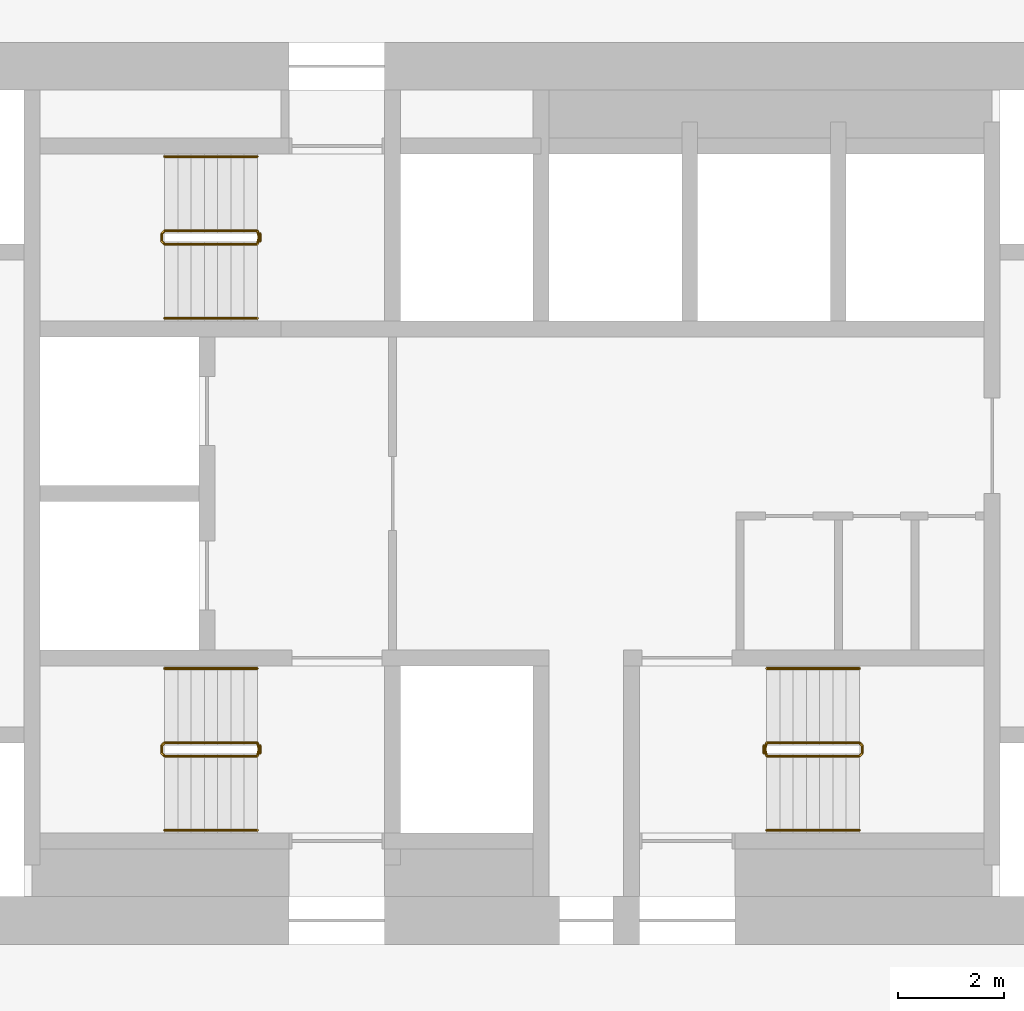
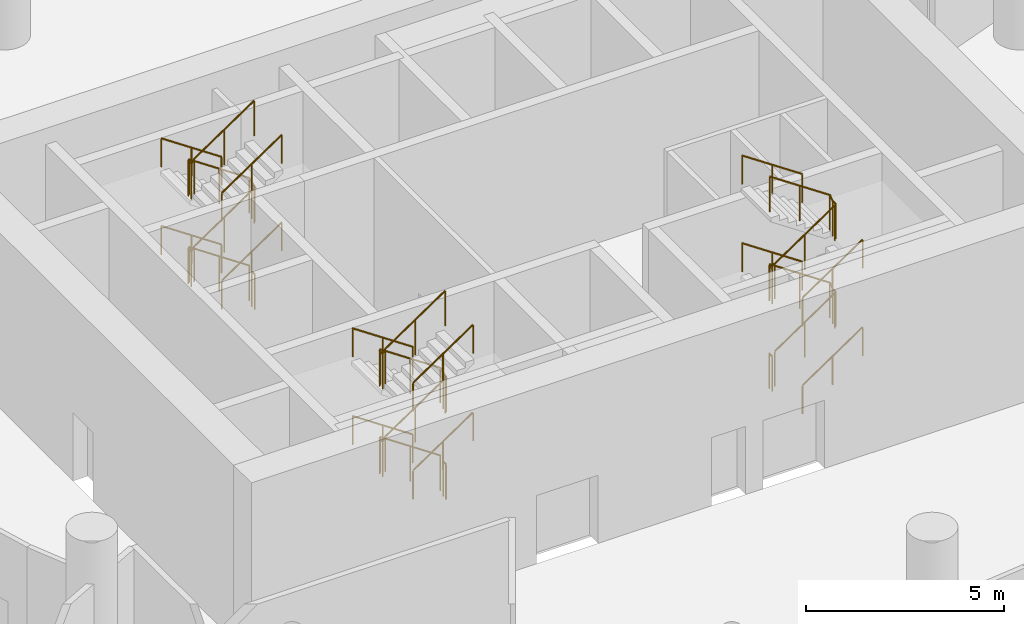
# One storey, part 21 of 21: 18 railings.
"""IFC4 building model written with IfcOpenShell, lengths in metres."""

from ifc_helpers import new_model, si_unit, direction, frame, origin, origin_2d, place, context, subcontext, project, spatial, circle, extrude, material, type_object, element, save


model = new_model("IFC4")

# Units and contexts
model_context = context("Model", 3, precision=1e-05, world=origin(), true_north=direction((0.0, 1.0)))
body_context = subcontext(model_context, "Body", "Model", "MODEL_VIEW")
ifc_project = project(units=[si_unit("LENGTHUNIT", "METRE"), si_unit("AREAUNIT", "SQUARE_METRE"), si_unit("VOLUMEUNIT", "CUBIC_METRE"), si_unit("PLANEANGLEUNIT", "RADIAN"), si_unit("MASSUNIT", "GRAM", prefix="KILO")], contexts=[model_context])

# Site, building, storey
site_placement = place(None, origin())
site = spatial("IfcSite", under=ifc_project, at=site_placement, CompositionType="ELEMENT")
building_placement = place(site_placement, origin())
building = spatial("IfcBuilding", under=site, at=building_placement, Name="Tracery Tower", CompositionType="ELEMENT")
storey_placement = place(building_placement, frame((0.0, 0.0, 219.60009765625)))
storey = spatial("IfcBuildingStorey", under=building, at=storey_placement, Name="L57", CompositionType="ELEMENT", Elevation=219.60009765625)

# Railings
ifc_material_1 = material(Name="Stainless steel and laminated glass", Category="steel")
railing_type_1 = type_object("IfcRailingType", Name="Stair guard 1100", PredefinedType="GUARDRAIL", material=ifc_material_1)
railing_1_placement = place(storey_placement, frame((-4.800048828125, -4.699951171875, 0.168701171875)))
element("IfcRailing", 1, at=railing_1_placement, inside=storey, type_object=railing_type_1, Name="L57 stair ST1 guard 1", PredefinedType="GUARDRAIL", context=body_context, shape_type="SweptSolid", body=[
    extrude(circle(Radius=0.02392578125, at=origin_2d()), frame((0.0, 0.0, 1.076171875), z_axis=(-0.828870122254, 0.0, 0.559441078608), x_axis=(0.0, -1.0, 0.0)), (0.0, 0.0, 1.0), 2.111328125),
    extrude(circle(Radius=0.02392578125, at=origin_2d()), frame((-1.75, 0.0, 2.25732421875), z_axis=(-0.707106781187, -0.707106781187, 0.0), x_axis=(0.707106781187, -0.707106781187, 0.0)), (0.0, 0.0, 1.0), 0.07080078125),
    extrude(circle(Radius=0.02392578125, at=origin_2d()), frame((-1.800048828125, -0.050048828125, 2.25732421875), z_axis=(0.0, -1.0, 0.0), x_axis=(1.0, 0.0, 0.0)), (0.0, 0.0, 1.0), 0.14990234375),
    extrude(circle(Radius=0.02392578125, at=origin_2d()), frame((-1.800048828125, -0.199951171875, 2.25732421875), z_axis=(0.273569069059, -0.273569069059, 0.922127935218), x_axis=(0.707106781187, 0.707106781187, 0.0)), (0.0, 0.0, 1.0), 0.182861328125),
    extrude(circle(Radius=0.02392578125, at=origin_2d()), frame((-1.75, -0.25, 2.42578125), z_axis=(0.828816501605, 0.0, 0.559520514965), x_axis=(0.0, 1.0, 0.0)), (0.0, 0.0, 1.0), 2.111328125),
    extrude(circle(Radius=0.02392578125, at=origin_2d()), frame((0.0, -0.25, 3.607421875), z_axis=(0.242814311512, 0.970072785993, 0.0), x_axis=(-0.970072785993, 0.242814311512, 0.0)), (0.0, 0.0, 1.0), 0.2060546875),
    extrude(circle(Radius=0.02392578125, at=origin_2d()), frame((0.050048828125, -0.050048828125, 3.607421875), z_axis=(0.0, -1.0, 0.0), x_axis=(1.0, 0.0, 0.0)), (0.0, 0.0, 1.0), 0.14990234375),
    extrude(circle(Radius=0.02392578125, at=origin_2d()), frame((0.050048828125, -0.199951171875, 3.607421875), z_axis=(-0.187902113298, 0.750691857518, 0.633367611166), x_axis=(-0.970072785993, -0.242814311512, 0.0)), (0.0, 0.0, 1.0), 0.266357421875),
    extrude(circle(Radius=0.02392578125, at=origin_2d()), frame((0.0, 0.0, 3.77587890625), z_axis=(-0.828870122254, 0.0, 0.559441078608), x_axis=(0.0, -1.0, 0.0)), (0.0, 0.0, 1.0), 2.111328125),
    extrude(circle(Radius=0.02392578125, at=origin_2d()), frame((-1.75, 0.0, 4.95703125), z_axis=(-0.707106781187, -0.707106781187, 0.0), x_axis=(0.707106781187, -0.707106781187, 0.0)), (0.0, 0.0, 1.0), 0.07080078125),
    extrude(circle(Radius=0.02392578125, at=origin_2d()), frame((-1.800048828125, -0.050048828125, 4.95703125), z_axis=(0.0, -1.0, 0.0), x_axis=(1.0, 0.0, 0.0)), (0.0, 0.0, 1.0), 0.14990234375),
    extrude(circle(Radius=0.02392578125, at=origin_2d()), frame((-1.800048828125, -0.199951171875, 4.95703125), z_axis=(0.273232802156, -0.273232802156, 0.922327312645), x_axis=(0.707106781187, 0.707106781187, 0.0)), (0.0, 0.0, 1.0), 0.18310546875),
    extrude(circle(Radius=0.02392578125, at=origin_2d()), frame((-1.75, -0.25, 5.1259765625), z_axis=(0.828870122254, 0.0, 0.559441078608), x_axis=(0.0, 1.0, 0.0)), (0.0, 0.0, 1.0), 2.111328125),
    extrude(circle(Radius=0.02099609375, at=origin_2d()), origin(), (0.0, 0.0, 1.0), 1.052001953125),
    extrude(circle(Radius=0.02099609375, at=origin_2d()), frame((-0.875, 0.0, 0.590576171875)), (0.0, 0.0, 1.0), 1.052001953125),
    extrude(circle(Radius=0.02099609375, at=origin_2d()), frame((-1.75, 0.0, 1.18115234375)), (0.0, 0.0, 1.0), 1.052001953125),
    extrude(circle(Radius=0.02099609375, at=origin_2d()), frame((-1.800048828125, -0.050048828125, 1.18115234375)), (0.0, 0.0, 1.0), 1.052001953125),
    extrude(circle(Radius=0.02099609375, at=origin_2d()), frame((-1.800048828125, -0.199951171875, 1.18115234375)), (0.0, 0.0, 1.0), 1.052001953125),
    extrude(circle(Radius=0.02099609375, at=origin_2d()), frame((-1.75, -0.25, 1.349853515625)), (0.0, 0.0, 1.0), 1.052001953125),
    extrude(circle(Radius=0.02099609375, at=origin_2d()), frame((-0.875, -0.25, 1.9404296875)), (0.0, 0.0, 1.0), 1.052001953125),
    extrude(circle(Radius=0.02099609375, at=origin_2d()), frame((0.0, -0.25, 2.53125)), (0.0, 0.0, 1.0), 1.052001953125),
    extrude(circle(Radius=0.02099609375, at=origin_2d()), frame((0.050048828125, -0.050048828125, 2.53125)), (0.0, 0.0, 1.0), 1.052001953125),
    extrude(circle(Radius=0.02099609375, at=origin_2d()), frame((0.050048828125, -0.199951171875, 2.53125)), (0.0, 0.0, 1.0), 1.052001953125),
    extrude(circle(Radius=0.02099609375, at=origin_2d()), frame((0.0, 0.0, 2.699951171875)), (0.0, 0.0, 1.0), 1.052001953125),
    extrude(circle(Radius=0.02099609375, at=origin_2d()), frame((-0.875, 0.0, 3.29052734375)), (0.0, 0.0, 1.0), 1.052001953125),
    extrude(circle(Radius=0.02099609375, at=origin_2d()), frame((-1.75, 0.0, 3.881103515625)), (0.0, 0.0, 1.0), 1.052001953125),
    extrude(circle(Radius=0.02099609375, at=origin_2d()), frame((-1.800048828125, -0.050048828125, 3.881103515625)), (0.0, 0.0, 1.0), 1.052001953125),
    extrude(circle(Radius=0.02099609375, at=origin_2d()), frame((-1.800048828125, -0.199951171875, 3.881103515625)), (0.0, 0.0, 1.0), 1.052001953125),
    extrude(circle(Radius=0.02099609375, at=origin_2d()), frame((-1.75, -0.25, 4.050048828125)), (0.0, 0.0, 1.0), 1.052001953125),
    extrude(circle(Radius=0.02099609375, at=origin_2d()), frame((-0.875, -0.25, 4.640625)), (0.0, 0.0, 1.0), 1.052001953125),
    extrude(circle(Radius=0.02099609375, at=origin_2d()), frame((0.0, -0.25, 5.231201171875)), (0.0, 0.0, 1.0), 1.052001953125),
])
railing_2_placement = place(storey_placement, frame((-4.75, -4.75, 0.0)))
element("IfcRailing", 2, at=railing_2_placement, inside=storey, type_object=railing_type_1, Name="L57 stair ST1 guard 2", PredefinedType="GUARDRAIL", context=body_context, shape_type="SweptSolid", body=[
    extrude(circle(Radius=0.02392578125, at=origin_2d()), frame((0.0, 0.0, 1.076171875), z_axis=(0.0, -1.0, 0.0), x_axis=(1.0, 0.0, 0.0)), (0.0, 0.0, 1.0), 0.14990234375),
    extrude(circle(Radius=0.02099609375, at=origin_2d()), origin(), (0.0, 0.0, 1.0), 1.052001953125),
    extrude(circle(Radius=0.02099609375, at=origin_2d()), frame((0.0, -0.14990234375, 0.0)), (0.0, 0.0, 1.0), 1.052001953125),
])
railing_3_placement = place(storey_placement, frame((-4.800048828125, 4.949951171875, 0.168701171875)))
element("IfcRailing", 3, at=railing_3_placement, inside=storey, type_object=railing_type_1, Name="L57 stair ST3 guard 1", PredefinedType="GUARDRAIL", context=body_context, shape_type="SweptSolid", body=[
    extrude(circle(Radius=0.02392578125, at=origin_2d()), frame((0.0, 0.0, 1.076171875), z_axis=(-0.828870122254, 0.0, 0.559441078608), x_axis=(0.0, -1.0, 0.0)), (0.0, 0.0, 1.0), 2.111328125),
    extrude(circle(Radius=0.02392578125, at=origin_2d()), frame((-1.75, 0.0, 2.25732421875), z_axis=(-0.707106781187, -0.707106781187, 0.0), x_axis=(0.707106781187, -0.707106781187, 0.0)), (0.0, 0.0, 1.0), 0.07080078125),
    extrude(circle(Radius=0.02392578125, at=origin_2d()), frame((-1.800048828125, -0.050048828125, 2.25732421875), z_axis=(0.0, -1.0, 0.0), x_axis=(1.0, 0.0, 0.0)), (0.0, 0.0, 1.0), 0.14990234375),
    extrude(circle(Radius=0.02392578125, at=origin_2d()), frame((-1.800048828125, -0.199951171875, 2.25732421875), z_axis=(0.273569069059, -0.273569069059, 0.922127935218), x_axis=(0.707106781187, 0.707106781187, 0.0)), (0.0, 0.0, 1.0), 0.182861328125),
    extrude(circle(Radius=0.02392578125, at=origin_2d()), frame((-1.75, -0.25, 2.42578125), z_axis=(0.828816501605, 0.0, 0.559520514965), x_axis=(0.0, 1.0, 0.0)), (0.0, 0.0, 1.0), 2.111328125),
    extrude(circle(Radius=0.02392578125, at=origin_2d()), frame((0.0, -0.25, 3.607421875), z_axis=(0.242814311512, 0.970072785993, 0.0), x_axis=(-0.970072785993, 0.242814311512, 0.0)), (0.0, 0.0, 1.0), 0.2060546875),
    extrude(circle(Radius=0.02392578125, at=origin_2d()), frame((0.050048828125, -0.050048828125, 3.607421875), z_axis=(0.0, -1.0, 0.0), x_axis=(1.0, 0.0, 0.0)), (0.0, 0.0, 1.0), 0.14990234375),
    extrude(circle(Radius=0.02392578125, at=origin_2d()), frame((0.050048828125, -0.199951171875, 3.607421875), z_axis=(-0.187902113298, 0.750691857518, 0.633367611166), x_axis=(-0.970072785993, -0.242814311512, 0.0)), (0.0, 0.0, 1.0), 0.266357421875),
    extrude(circle(Radius=0.02392578125, at=origin_2d()), frame((0.0, 0.0, 3.77587890625), z_axis=(-0.828870122254, 0.0, 0.559441078608), x_axis=(0.0, -1.0, 0.0)), (0.0, 0.0, 1.0), 2.111328125),
    extrude(circle(Radius=0.02392578125, at=origin_2d()), frame((-1.75, 0.0, 4.95703125), z_axis=(-0.707106781187, -0.707106781187, 0.0), x_axis=(0.707106781187, -0.707106781187, 0.0)), (0.0, 0.0, 1.0), 0.07080078125),
    extrude(circle(Radius=0.02392578125, at=origin_2d()), frame((-1.800048828125, -0.050048828125, 4.95703125), z_axis=(0.0, -1.0, 0.0), x_axis=(1.0, 0.0, 0.0)), (0.0, 0.0, 1.0), 0.14990234375),
    extrude(circle(Radius=0.02392578125, at=origin_2d()), frame((-1.800048828125, -0.199951171875, 4.95703125), z_axis=(0.273232802156, -0.273232802156, 0.922327312645), x_axis=(0.707106781187, 0.707106781187, 0.0)), (0.0, 0.0, 1.0), 0.18310546875),
    extrude(circle(Radius=0.02392578125, at=origin_2d()), frame((-1.75, -0.25, 5.1259765625), z_axis=(0.828870122254, 0.0, 0.559441078608), x_axis=(0.0, 1.0, 0.0)), (0.0, 0.0, 1.0), 2.111328125),
    extrude(circle(Radius=0.02099609375, at=origin_2d()), origin(), (0.0, 0.0, 1.0), 1.052001953125),
    extrude(circle(Radius=0.02099609375, at=origin_2d()), frame((-0.875, 0.0, 0.590576171875)), (0.0, 0.0, 1.0), 1.052001953125),
    extrude(circle(Radius=0.02099609375, at=origin_2d()), frame((-1.75, 0.0, 1.18115234375)), (0.0, 0.0, 1.0), 1.052001953125),
    extrude(circle(Radius=0.02099609375, at=origin_2d()), frame((-1.800048828125, -0.050048828125, 1.18115234375)), (0.0, 0.0, 1.0), 1.052001953125),
    extrude(circle(Radius=0.02099609375, at=origin_2d()), frame((-1.800048828125, -0.199951171875, 1.18115234375)), (0.0, 0.0, 1.0), 1.052001953125),
    extrude(circle(Radius=0.02099609375, at=origin_2d()), frame((-1.75, -0.25, 1.349853515625)), (0.0, 0.0, 1.0), 1.052001953125),
    extrude(circle(Radius=0.02099609375, at=origin_2d()), frame((-0.875, -0.25, 1.9404296875)), (0.0, 0.0, 1.0), 1.052001953125),
    extrude(circle(Radius=0.02099609375, at=origin_2d()), frame((0.0, -0.25, 2.53125)), (0.0, 0.0, 1.0), 1.052001953125),
    extrude(circle(Radius=0.02099609375, at=origin_2d()), frame((0.050048828125, -0.050048828125, 2.53125)), (0.0, 0.0, 1.0), 1.052001953125),
    extrude(circle(Radius=0.02099609375, at=origin_2d()), frame((0.050048828125, -0.199951171875, 2.53125)), (0.0, 0.0, 1.0), 1.052001953125),
    extrude(circle(Radius=0.02099609375, at=origin_2d()), frame((0.0, 0.0, 2.699951171875)), (0.0, 0.0, 1.0), 1.052001953125),
    extrude(circle(Radius=0.02099609375, at=origin_2d()), frame((-0.875, 0.0, 3.29052734375)), (0.0, 0.0, 1.0), 1.052001953125),
    extrude(circle(Radius=0.02099609375, at=origin_2d()), frame((-1.75, 0.0, 3.881103515625)), (0.0, 0.0, 1.0), 1.052001953125),
    extrude(circle(Radius=0.02099609375, at=origin_2d()), frame((-1.800048828125, -0.050048828125, 3.881103515625)), (0.0, 0.0, 1.0), 1.052001953125),
    extrude(circle(Radius=0.02099609375, at=origin_2d()), frame((-1.800048828125, -0.199951171875, 3.881103515625)), (0.0, 0.0, 1.0), 1.052001953125),
    extrude(circle(Radius=0.02099609375, at=origin_2d()), frame((-1.75, -0.25, 4.050048828125)), (0.0, 0.0, 1.0), 1.052001953125),
    extrude(circle(Radius=0.02099609375, at=origin_2d()), frame((-0.875, -0.25, 4.640625)), (0.0, 0.0, 1.0), 1.052001953125),
    extrude(circle(Radius=0.02099609375, at=origin_2d()), frame((0.0, -0.25, 5.231201171875)), (0.0, 0.0, 1.0), 1.052001953125),
])
railing_4_placement = place(storey_placement, frame((-4.75, 4.89990234375, 0.0)))
element("IfcRailing", 4, at=railing_4_placement, inside=storey, type_object=railing_type_1, Name="L57 stair ST3 guard 2", PredefinedType="GUARDRAIL", context=body_context, shape_type="SweptSolid", body=[
    extrude(circle(Radius=0.02392578125, at=origin_2d()), frame((0.0, 0.0, 1.076171875), z_axis=(0.0, -1.0, 0.0), x_axis=(1.0, 0.0, 0.0)), (0.0, 0.0, 1.0), 0.14990234375),
    extrude(circle(Radius=0.02099609375, at=origin_2d()), origin(), (0.0, 0.0, 1.0), 1.052001953125),
    extrude(circle(Radius=0.02099609375, at=origin_2d()), frame((0.0, -0.14990234375, 0.0)), (0.0, 0.0, 1.0), 1.052001953125),
])
railing_5_placement = place(storey_placement, frame((4.800048828125, -4.949951171875, 0.168701171875)))
element("IfcRailing", 5, at=railing_5_placement, inside=storey, type_object=railing_type_1, Name="L57 stair ST2 guard 1", PredefinedType="GUARDRAIL", context=body_context, shape_type="SweptSolid", body=[
    extrude(circle(Radius=0.02392578125, at=origin_2d()), frame((0.0, 0.0, 1.076171875), z_axis=(0.828870122254, 0.0, 0.559441078608), x_axis=(0.0, 1.0, 0.0)), (0.0, 0.0, 1.0), 2.111328125),
    extrude(circle(Radius=0.02392578125, at=origin_2d()), frame((1.75, 0.0, 2.25732421875), z_axis=(0.707106781187, 0.707106781187, 0.0), x_axis=(-0.707106781187, 0.707106781187, 0.0)), (0.0, 0.0, 1.0), 0.07080078125),
    extrude(circle(Radius=0.02392578125, at=origin_2d()), frame((1.800048828125, 0.050048828125, 2.25732421875), z_axis=(0.0, 1.0, 0.0), x_axis=(-1.0, 0.0, 0.0)), (0.0, 0.0, 1.0), 0.14990234375),
    extrude(circle(Radius=0.02392578125, at=origin_2d()), frame((1.800048828125, 0.199951171875, 2.25732421875), z_axis=(-0.273569069059, 0.273569069059, 0.922127935218), x_axis=(-0.707106781187, -0.707106781187, 0.0)), (0.0, 0.0, 1.0), 0.182861328125),
    extrude(circle(Radius=0.02392578125, at=origin_2d()), frame((1.75, 0.25, 2.42578125), z_axis=(-0.828816501605, 0.0, 0.559520514965), x_axis=(0.0, -1.0, 0.0)), (0.0, 0.0, 1.0), 2.111328125),
    extrude(circle(Radius=0.02392578125, at=origin_2d()), frame((0.0, 0.25, 3.607421875), z_axis=(-0.242814311512, -0.970072785993, 0.0), x_axis=(0.970072785993, -0.242814311512, 0.0)), (0.0, 0.0, 1.0), 0.2060546875),
    extrude(circle(Radius=0.02392578125, at=origin_2d()), frame((-0.050048828125, 0.050048828125, 3.607421875), z_axis=(0.0, 1.0, 0.0), x_axis=(-1.0, 0.0, 0.0)), (0.0, 0.0, 1.0), 0.14990234375),
    extrude(circle(Radius=0.02392578125, at=origin_2d()), frame((-0.050048828125, 0.199951171875, 3.607421875), z_axis=(0.187902113298, -0.750691857518, 0.633367611166), x_axis=(0.970072785993, 0.242814311512, 0.0)), (0.0, 0.0, 1.0), 0.266357421875),
    extrude(circle(Radius=0.02392578125, at=origin_2d()), frame((0.0, 0.0, 3.77587890625), z_axis=(0.828870122254, 0.0, 0.559441078608), x_axis=(0.0, 1.0, 0.0)), (0.0, 0.0, 1.0), 2.111328125),
    extrude(circle(Radius=0.02392578125, at=origin_2d()), frame((1.75, 0.0, 4.95703125), z_axis=(0.707106781187, 0.707106781187, 0.0), x_axis=(-0.707106781187, 0.707106781187, 0.0)), (0.0, 0.0, 1.0), 0.07080078125),
    extrude(circle(Radius=0.02392578125, at=origin_2d()), frame((1.800048828125, 0.050048828125, 4.95703125), z_axis=(0.0, 1.0, 0.0), x_axis=(-1.0, 0.0, 0.0)), (0.0, 0.0, 1.0), 0.14990234375),
    extrude(circle(Radius=0.02392578125, at=origin_2d()), frame((1.800048828125, 0.199951171875, 4.95703125), z_axis=(-0.273232802156, 0.273232802156, 0.922327312645), x_axis=(-0.707106781187, -0.707106781187, 0.0)), (0.0, 0.0, 1.0), 0.18310546875),
    extrude(circle(Radius=0.02392578125, at=origin_2d()), frame((1.75, 0.25, 5.1259765625), z_axis=(-0.828870122254, 0.0, 0.559441078608), x_axis=(0.0, -1.0, 0.0)), (0.0, 0.0, 1.0), 2.111328125),
    extrude(circle(Radius=0.02099609375, at=origin_2d()), origin(), (0.0, 0.0, 1.0), 1.052001953125),
    extrude(circle(Radius=0.02099609375, at=origin_2d()), frame((0.875, 0.0, 0.590576171875)), (0.0, 0.0, 1.0), 1.052001953125),
    extrude(circle(Radius=0.02099609375, at=origin_2d()), frame((1.75, 0.0, 1.18115234375)), (0.0, 0.0, 1.0), 1.052001953125),
    extrude(circle(Radius=0.02099609375, at=origin_2d()), frame((1.800048828125, 0.050048828125, 1.18115234375)), (0.0, 0.0, 1.0), 1.052001953125),
    extrude(circle(Radius=0.02099609375, at=origin_2d()), frame((1.800048828125, 0.199951171875, 1.18115234375)), (0.0, 0.0, 1.0), 1.052001953125),
    extrude(circle(Radius=0.02099609375, at=origin_2d()), frame((1.75, 0.25, 1.349853515625)), (0.0, 0.0, 1.0), 1.052001953125),
    extrude(circle(Radius=0.02099609375, at=origin_2d()), frame((0.875, 0.25, 1.9404296875)), (0.0, 0.0, 1.0), 1.052001953125),
    extrude(circle(Radius=0.02099609375, at=origin_2d()), frame((0.0, 0.25, 2.53125)), (0.0, 0.0, 1.0), 1.052001953125),
    extrude(circle(Radius=0.02099609375, at=origin_2d()), frame((-0.050048828125, 0.050048828125, 2.53125)), (0.0, 0.0, 1.0), 1.052001953125),
    extrude(circle(Radius=0.02099609375, at=origin_2d()), frame((-0.050048828125, 0.199951171875, 2.53125)), (0.0, 0.0, 1.0), 1.052001953125),
    extrude(circle(Radius=0.02099609375, at=origin_2d()), frame((0.0, 0.0, 2.699951171875)), (0.0, 0.0, 1.0), 1.052001953125),
    extrude(circle(Radius=0.02099609375, at=origin_2d()), frame((0.875, 0.0, 3.29052734375)), (0.0, 0.0, 1.0), 1.052001953125),
    extrude(circle(Radius=0.02099609375, at=origin_2d()), frame((1.75, 0.0, 3.881103515625)), (0.0, 0.0, 1.0), 1.052001953125),
    extrude(circle(Radius=0.02099609375, at=origin_2d()), frame((1.800048828125, 0.050048828125, 3.881103515625)), (0.0, 0.0, 1.0), 1.052001953125),
    extrude(circle(Radius=0.02099609375, at=origin_2d()), frame((1.800048828125, 0.199951171875, 3.881103515625)), (0.0, 0.0, 1.0), 1.052001953125),
    extrude(circle(Radius=0.02099609375, at=origin_2d()), frame((1.75, 0.25, 4.050048828125)), (0.0, 0.0, 1.0), 1.052001953125),
    extrude(circle(Radius=0.02099609375, at=origin_2d()), frame((0.875, 0.25, 4.640625)), (0.0, 0.0, 1.0), 1.052001953125),
    extrude(circle(Radius=0.02099609375, at=origin_2d()), frame((0.0, 0.25, 5.231201171875)), (0.0, 0.0, 1.0), 1.052001953125),
])
railing_6_placement = place(storey_placement, frame((4.75, -4.89990234375, 0.0)))
element("IfcRailing", 6, at=railing_6_placement, inside=storey, type_object=railing_type_1, Name="L57 stair ST2 guard 2", PredefinedType="GUARDRAIL", context=body_context, shape_type="SweptSolid", body=[
    extrude(circle(Radius=0.02392578125, at=origin_2d()), frame((0.0, 0.0, 1.076171875), z_axis=(0.0, 1.0, 0.0), x_axis=(-1.0, 0.0, 0.0)), (0.0, 0.0, 1.0), 0.14990234375),
    extrude(circle(Radius=0.02099609375, at=origin_2d()), origin(), (0.0, 0.0, 1.0), 1.052001953125),
    extrude(circle(Radius=0.02099609375, at=origin_2d()), frame((0.0, 0.14990234375, 0.0)), (0.0, 0.0, 1.0), 1.052001953125),
])
ifc_material_2 = material(Name="Stainless steel and laminated glass", Category="steel")
railing_type_2 = type_object("IfcRailingType", Name="Stair handrail 900", PredefinedType="HANDRAIL", material=ifc_material_2)
railing_7_placement = place(storey_placement, frame((-4.800048828125, -3.300048828125, 0.168701171875)))
element("IfcRailing", 7, at=railing_7_placement, inside=storey, type_object=railing_type_2, Name="L57 stair ST1 handrail 1", PredefinedType="HANDRAIL", context=body_context, shape_type="SweptSolid", body=[
    extrude(circle(Radius=0.02392578125, at=origin_2d()), frame((0.0, 0.0, 0.8759765625), z_axis=(-0.828870122254, 0.0, 0.559441078608), x_axis=(0.0, -1.0, 0.0)), (0.0, 0.0, 1.0), 2.111328125),
    extrude(circle(Radius=0.02099609375, at=origin_2d()), origin(), (0.0, 0.0, 1.0), 0.851806640625),
    extrude(circle(Radius=0.02099609375, at=origin_2d()), frame((-0.875, 0.0, 0.590576171875)), (0.0, 0.0, 1.0), 0.851806640625),
    extrude(circle(Radius=0.02099609375, at=origin_2d()), frame((-1.75, 0.0, 1.18115234375)), (0.0, 0.0, 1.0), 0.851806640625),
])
railing_8_placement = place(storey_placement, frame((-6.550048828125, -6.35009765625, 1.5185546875)))
element("IfcRailing", 8, at=railing_8_placement, inside=storey, type_object=railing_type_2, Name="L57 stair ST1 handrail 2", PredefinedType="HANDRAIL", context=body_context, shape_type="SweptSolid", body=[
    extrude(circle(Radius=0.02392578125, at=origin_2d()), frame((0.0, 0.0, 0.8759765625), z_axis=(0.828816501605, 0.0, 0.559520514965), x_axis=(0.0, 1.0, 0.0)), (0.0, 0.0, 1.0), 2.111328125),
    extrude(circle(Radius=0.02099609375, at=origin_2d()), origin(), (0.0, 0.0, 1.0), 0.851806640625),
    extrude(circle(Radius=0.02099609375, at=origin_2d()), frame((0.875, 0.0, 0.5908203125)), (0.0, 0.0, 1.0), 0.851806640625),
    extrude(circle(Radius=0.02099609375, at=origin_2d()), frame((1.75, 0.0, 1.181396484375)), (0.0, 0.0, 1.0), 0.851806640625),
])
railing_9_placement = place(storey_placement, frame((-4.800048828125, -3.300048828125, 2.86865234375)))
element("IfcRailing", 9, at=railing_9_placement, inside=storey, type_object=railing_type_2, Name="L57 stair ST1 handrail 3", PredefinedType="HANDRAIL", context=body_context, shape_type="SweptSolid", body=[
    extrude(circle(Radius=0.02392578125, at=origin_2d()), frame((0.0, 0.0, 0.8759765625), z_axis=(-0.828870122254, 0.0, 0.559441078608), x_axis=(0.0, -1.0, 0.0)), (0.0, 0.0, 1.0), 2.111328125),
    extrude(circle(Radius=0.02099609375, at=origin_2d()), origin(), (0.0, 0.0, 1.0), 0.851806640625),
    extrude(circle(Radius=0.02099609375, at=origin_2d()), frame((-0.875, 0.0, 0.590576171875)), (0.0, 0.0, 1.0), 0.851806640625),
    extrude(circle(Radius=0.02099609375, at=origin_2d()), frame((-1.75, 0.0, 1.18115234375)), (0.0, 0.0, 1.0), 0.851806640625),
])
railing_10_placement = place(storey_placement, frame((-6.550048828125, -6.35009765625, 4.21875)))
element("IfcRailing", 10, at=railing_10_placement, inside=storey, type_object=railing_type_2, Name="L57 stair ST1 handrail 4", PredefinedType="HANDRAIL", context=body_context, shape_type="SweptSolid", body=[
    extrude(circle(Radius=0.02392578125, at=origin_2d()), frame((0.0, 0.0, 0.8759765625), z_axis=(0.828870122254, 0.0, 0.559441078608), x_axis=(0.0, 1.0, 0.0)), (0.0, 0.0, 1.0), 2.111328125),
    extrude(circle(Radius=0.02099609375, at=origin_2d()), origin(), (0.0, 0.0, 1.0), 0.851806640625),
    extrude(circle(Radius=0.02099609375, at=origin_2d()), frame((0.875, 0.0, 0.590576171875)), (0.0, 0.0, 1.0), 0.851806640625),
    extrude(circle(Radius=0.02099609375, at=origin_2d()), frame((1.75, 0.0, 1.18115234375)), (0.0, 0.0, 1.0), 0.851806640625),
])
railing_11_placement = place(storey_placement, frame((-4.800048828125, 6.35009765625, 0.168701171875)))
element("IfcRailing", 11, at=railing_11_placement, inside=storey, type_object=railing_type_2, Name="L57 stair ST3 handrail 1", PredefinedType="HANDRAIL", context=body_context, shape_type="SweptSolid", body=[
    extrude(circle(Radius=0.02392578125, at=origin_2d()), frame((0.0, 0.0, 0.8759765625), z_axis=(-0.828870122254, 0.0, 0.559441078608), x_axis=(0.0, -1.0, 0.0)), (0.0, 0.0, 1.0), 2.111328125),
    extrude(circle(Radius=0.02099609375, at=origin_2d()), origin(), (0.0, 0.0, 1.0), 0.851806640625),
    extrude(circle(Radius=0.02099609375, at=origin_2d()), frame((-0.875, 0.0, 0.590576171875)), (0.0, 0.0, 1.0), 0.851806640625),
    extrude(circle(Radius=0.02099609375, at=origin_2d()), frame((-1.75, 0.0, 1.18115234375)), (0.0, 0.0, 1.0), 0.851806640625),
])
railing_12_placement = place(storey_placement, frame((-6.550048828125, 3.300048828125, 1.5185546875)))
element("IfcRailing", 12, at=railing_12_placement, inside=storey, type_object=railing_type_2, Name="L57 stair ST3 handrail 2", PredefinedType="HANDRAIL", context=body_context, shape_type="SweptSolid", body=[
    extrude(circle(Radius=0.02392578125, at=origin_2d()), frame((0.0, 0.0, 0.8759765625), z_axis=(0.828816501605, 0.0, 0.559520514965), x_axis=(0.0, 1.0, 0.0)), (0.0, 0.0, 1.0), 2.111328125),
    extrude(circle(Radius=0.02099609375, at=origin_2d()), origin(), (0.0, 0.0, 1.0), 0.851806640625),
    extrude(circle(Radius=0.02099609375, at=origin_2d()), frame((0.875, 0.0, 0.5908203125)), (0.0, 0.0, 1.0), 0.851806640625),
    extrude(circle(Radius=0.02099609375, at=origin_2d()), frame((1.75, 0.0, 1.181396484375)), (0.0, 0.0, 1.0), 0.851806640625),
])
railing_13_placement = place(storey_placement, frame((-4.800048828125, 6.35009765625, 2.86865234375)))
element("IfcRailing", 13, at=railing_13_placement, inside=storey, type_object=railing_type_2, Name="L57 stair ST3 handrail 3", PredefinedType="HANDRAIL", context=body_context, shape_type="SweptSolid", body=[
    extrude(circle(Radius=0.02392578125, at=origin_2d()), frame((0.0, 0.0, 0.8759765625), z_axis=(-0.828870122254, 0.0, 0.559441078608), x_axis=(0.0, -1.0, 0.0)), (0.0, 0.0, 1.0), 2.111328125),
    extrude(circle(Radius=0.02099609375, at=origin_2d()), origin(), (0.0, 0.0, 1.0), 0.851806640625),
    extrude(circle(Radius=0.02099609375, at=origin_2d()), frame((-0.875, 0.0, 0.590576171875)), (0.0, 0.0, 1.0), 0.851806640625),
    extrude(circle(Radius=0.02099609375, at=origin_2d()), frame((-1.75, 0.0, 1.18115234375)), (0.0, 0.0, 1.0), 0.851806640625),
])
for number, where, name in (
    (14, (-6.550048828125, 3.300048828125, 4.21875), "L57 stair ST3 handrail 4"),
    (15, (4.800048828125, -6.35009765625, 0.168701171875), "L57 stair ST2 handrail 1"),
):
    element("IfcRailing", number, at=place(storey_placement, frame(where)), inside=storey, type_object=railing_type_2, Name=name, PredefinedType="HANDRAIL", context=body_context, shape_type="SweptSolid", body=[
        extrude(circle(Radius=0.02392578125, at=origin_2d()), frame((0.0, 0.0, 0.8759765625), z_axis=(0.828870122254, 0.0, 0.559441078608), x_axis=(0.0, 1.0, 0.0)), (0.0, 0.0, 1.0), 2.111328125),
        extrude(circle(Radius=0.02099609375, at=origin_2d()), origin(), (0.0, 0.0, 1.0), 0.851806640625),
        extrude(circle(Radius=0.02099609375, at=origin_2d()), frame((0.875, 0.0, 0.590576171875)), (0.0, 0.0, 1.0), 0.851806640625),
        extrude(circle(Radius=0.02099609375, at=origin_2d()), frame((1.75, 0.0, 1.18115234375)), (0.0, 0.0, 1.0), 0.851806640625),
    ])
railing_14_placement = place(storey_placement, frame((6.550048828125, -3.300048828125, 1.5185546875)))
element("IfcRailing", 16, at=railing_14_placement, inside=storey, type_object=railing_type_2, Name="L57 stair ST2 handrail 2", PredefinedType="HANDRAIL", context=body_context, shape_type="SweptSolid", body=[
    extrude(circle(Radius=0.02392578125, at=origin_2d()), frame((0.0, 0.0, 0.8759765625), z_axis=(-0.828816501605, 0.0, 0.559520514965), x_axis=(0.0, -1.0, 0.0)), (0.0, 0.0, 1.0), 2.111328125),
    extrude(circle(Radius=0.02099609375, at=origin_2d()), origin(), (0.0, 0.0, 1.0), 0.851806640625),
    extrude(circle(Radius=0.02099609375, at=origin_2d()), frame((-0.875, 0.0, 0.5908203125)), (0.0, 0.0, 1.0), 0.851806640625),
    extrude(circle(Radius=0.02099609375, at=origin_2d()), frame((-1.75, 0.0, 1.181396484375)), (0.0, 0.0, 1.0), 0.851806640625),
])
railing_15_placement = place(storey_placement, frame((4.800048828125, -6.35009765625, 2.86865234375)))
element("IfcRailing", 17, at=railing_15_placement, inside=storey, type_object=railing_type_2, Name="L57 stair ST2 handrail 3", PredefinedType="HANDRAIL", context=body_context, shape_type="SweptSolid", body=[
    extrude(circle(Radius=0.02392578125, at=origin_2d()), frame((0.0, 0.0, 0.8759765625), z_axis=(0.828870122254, 0.0, 0.559441078608), x_axis=(0.0, 1.0, 0.0)), (0.0, 0.0, 1.0), 2.111328125),
    extrude(circle(Radius=0.02099609375, at=origin_2d()), origin(), (0.0, 0.0, 1.0), 0.851806640625),
    extrude(circle(Radius=0.02099609375, at=origin_2d()), frame((0.875, 0.0, 0.590576171875)), (0.0, 0.0, 1.0), 0.851806640625),
    extrude(circle(Radius=0.02099609375, at=origin_2d()), frame((1.75, 0.0, 1.18115234375)), (0.0, 0.0, 1.0), 0.851806640625),
])
railing_16_placement = place(storey_placement, frame((6.550048828125, -3.300048828125, 4.21875)))
element("IfcRailing", 18, at=railing_16_placement, inside=storey, type_object=railing_type_2, Name="L57 stair ST2 handrail 4", PredefinedType="HANDRAIL", context=body_context, shape_type="SweptSolid", body=[
    extrude(circle(Radius=0.02392578125, at=origin_2d()), frame((0.0, 0.0, 0.8759765625), z_axis=(-0.828870122254, 0.0, 0.559441078608), x_axis=(0.0, -1.0, 0.0)), (0.0, 0.0, 1.0), 2.111328125),
    extrude(circle(Radius=0.02099609375, at=origin_2d()), origin(), (0.0, 0.0, 1.0), 0.851806640625),
    extrude(circle(Radius=0.02099609375, at=origin_2d()), frame((-0.875, 0.0, 0.590576171875)), (0.0, 0.0, 1.0), 0.851806640625),
    extrude(circle(Radius=0.02099609375, at=origin_2d()), frame((-1.75, 0.0, 1.18115234375)), (0.0, 0.0, 1.0), 0.851806640625),
])

save(model, "model.ifc")
